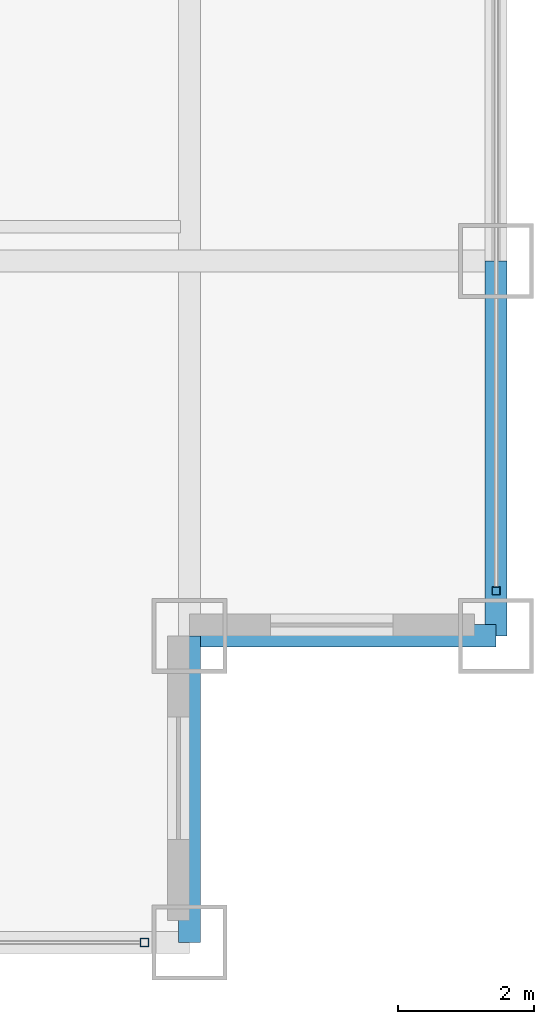
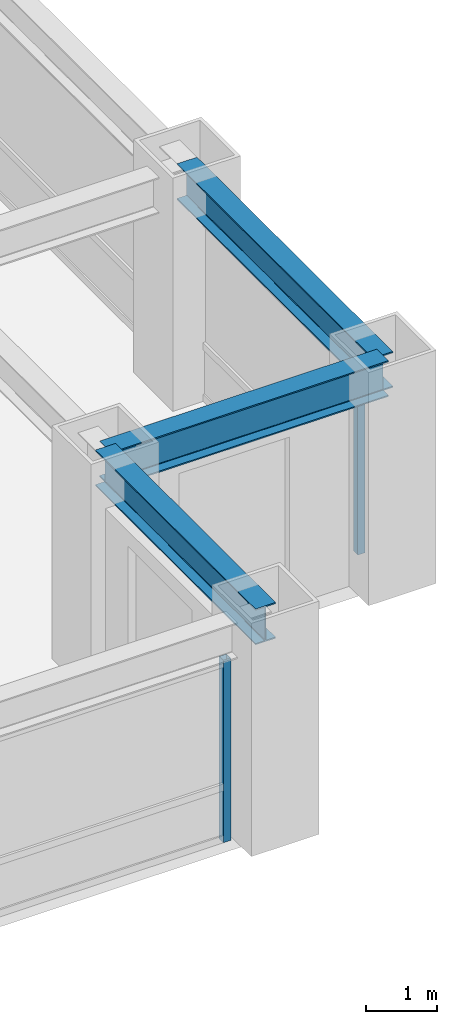
# One storey, part 8 of 24: 3 beams, 2 members, 2 elements without a shape of their own.
"""IFC4 building model written with IfcOpenShell, lengths in metres."""

from ifc_helpers import new_model, si_unit, direction, frame, origin, origin_2d, place, context, subcontext, project, spatial, hollow_rectangle, i_section, extrude, source, transform, mapped, material, material_profile, profile_set, type_object, element, aggregate, save


model = new_model("IFC4")

# Units and contexts
model_context = context("Model", 3, precision=1e-05, world=origin(), true_north=direction((0.0, 1.0)))
body_context = subcontext(model_context, "Body", "Model", "MODEL_VIEW")
ifc_project = project(units=[si_unit("LENGTHUNIT", "METRE"), si_unit("AREAUNIT", "SQUARE_METRE"), si_unit("VOLUMEUNIT", "CUBIC_METRE"), si_unit("PLANEANGLEUNIT", "RADIAN"), si_unit("MASSUNIT", "GRAM", prefix="KILO")], contexts=[model_context])

# Site, building, storey
site_placement = place(None, origin())
site = spatial("IfcSite", under=ifc_project, at=site_placement, CompositionType="ELEMENT")
building_placement = place(site_placement, origin())
building = spatial("IfcBuilding", under=site, at=building_placement, Name="Khorayat Bourse Tower", CompositionType="ELEMENT")
storey_placement = place(building_placement, frame((0.0, 0.0, 167.10009765625)))
storey = spatial("IfcBuildingStorey", under=building, at=storey_placement, Name="L38", CompositionType="ELEMENT", Elevation=167.10009765625)

# Beams
ifc_material_1 = material(Name="Steel ASTM A992 Grade 50", Category="steel")
ifc_material_profile_1 = material_profile(ifc_material_1, i_section(OverallWidth=0.324951171875, OverallDepth=0.615966796875, WebThickness=0.013916015625, FlangeThickness=0.021484375, FilletRadius=0.01611328125, at=origin_2d()), Name="W610X174")
ifc_profile_set_1 = profile_set([ifc_material_profile_1], Name="Steel ASTM A992 Grade 50")
beam_type = type_object("IfcBeamType", Name="BM-SPAN-610", PredefinedType="SPANDREL", material=ifc_profile_set_1)
shared_shape_1 = source(origin(), body_context, "Body", "SweptSolid", [
    extrude(i_section(OverallWidth=0.324951171875, OverallDepth=0.615966796875, WebThickness=0.013916015625, FlangeThickness=0.021484375, FilletRadius=0.01611328125, at=origin_2d()), origin(), (0.0, 0.0, 1.0), 5.5),
])
beam_placement = place(storey_placement, frame((30.0, -25.5, 3.471923828125), z_axis=(0.0, 1.0, 0.0), x_axis=(-1.0, 0.0, 0.0)))
element("IfcBeam", 1, at=beam_placement, inside=storey, type_object=beam_type, Name="L38 BM-SPAN-610 BM-L38-SPN-034", PredefinedType="SPANDREL", context=body_context, shape_type="MappedRepresentation", body=[
    mapped(shared_shape_1, transform((0.0, 0.0, 0.0), scale=1.0)),
])
shared_shape_2 = source(origin(), body_context, "Body", "SweptSolid", [
    extrude(i_section(OverallWidth=0.324951171875, OverallDepth=0.615966796875, WebThickness=0.013916015625, FlangeThickness=0.021484375, FilletRadius=0.01611328125, at=origin_2d()), origin(), (0.0, 0.0, 1.0), 4.5),
])
for number, where, z_axis, x_axis, name in (
    (2, (25.5, -30.0, 3.471923828125), (0.0, 1.0, 0.0), (-1.0, 0.0, 0.0), "L38 BM-SPAN-610 BM-L38-SPN-032"),
    (3, (25.5, -25.5, 3.471923828125), (1.0, 0.0, 0.0), (0.0, 1.0, 0.0), "L38 BM-SPAN-610 BM-L38-SPN-033"),
):
    element("IfcBeam", number, at=place(storey_placement, frame(where, z_axis=z_axis, x_axis=x_axis)), inside=storey, type_object=beam_type, Name=name, PredefinedType="SPANDREL", context=body_context, shape_type="MappedRepresentation", body=[
        mapped(shared_shape_2, transform((0.0, 0.0, 0.0), scale=1.0)),
    ])

# Curtain wall, member
ifc_material_2 = material(Name="Aluminium EN AW-6063 T6", Category="aluminium")
curtain_wall_type = type_object("IfcCurtainWallType", Name="CW-SYS-03", PredefinedType="NOTDEFINED", material=ifc_material_2)
curtain_wall_1_placement = place(storey_placement, origin())
curtain_wall_1 = element("IfcCurtainWall", 4, at=curtain_wall_1_placement, inside=storey, type_object=curtain_wall_type, Name="L38 Curtain Wall CW-L38-S1", PredefinedType="NOTDEFINED")
ifc_material_profile_2 = material_profile(ifc_material_2, hollow_rectangle(XDim=0.1201171875, YDim=0.1201171875, WallThickness=0.0048828125, at=origin_2d()), Name="ALU 120x120x5")
ifc_profile_set_2 = profile_set([ifc_material_profile_2], Name="Aluminium EN AW-6063 T6")
member_type = type_object("IfcMemberType", Name="CWM-VERT-120", PredefinedType="MULLION", material=ifc_profile_set_2)
shared_shape_3 = source(origin(), body_context, "Body", "SweptSolid", [
    extrude(hollow_rectangle(XDim=0.1201171875, YDim=0.1201171875, WallThickness=0.0048828125, at=origin_2d()), origin(), (0.0, 0.0, 1.0), 3.1298828125),
])
member_1_placement = place(storey_placement, frame((24.840087890625, -30.0, 0.0), z_axis=(0.0, 0.0, 1.0), x_axis=(0.0, 1.0, 0.0)))
member_1 = element("IfcMember", 5, at=member_1_placement, type_object=member_type, Name="CW-L38-S1 Vertical Mullion 3", PredefinedType="MULLION", context=body_context, shape_type="MappedRepresentation", body=[
    mapped(shared_shape_3, transform((0.0, 0.0, 0.0), scale=1.0)),
])
aggregate(curtain_wall_1, [member_1])

curtain_wall_2_placement = place(storey_placement, origin())
curtain_wall_2 = element("IfcCurtainWall", 6, at=curtain_wall_2_placement, inside=storey, type_object=curtain_wall_type, Name="L38 Curtain Wall CW-L38-E1", PredefinedType="NOTDEFINED")
member_2_placement = place(storey_placement, frame((30.0, -24.840087890625, 0.0), z_axis=(0.0, 0.0, 1.0), x_axis=(-1.0, 0.0, 0.0)))
member_2 = element("IfcMember", 7, at=member_2_placement, type_object=member_type, Name="CW-L38-E1 Vertical Mullion 1", PredefinedType="MULLION", context=body_context, shape_type="MappedRepresentation", body=[
    mapped(shared_shape_3, transform((0.0, 0.0, 0.0), scale=1.0)),
])
aggregate(curtain_wall_2, [member_2])

save(model, "model.ifc")
